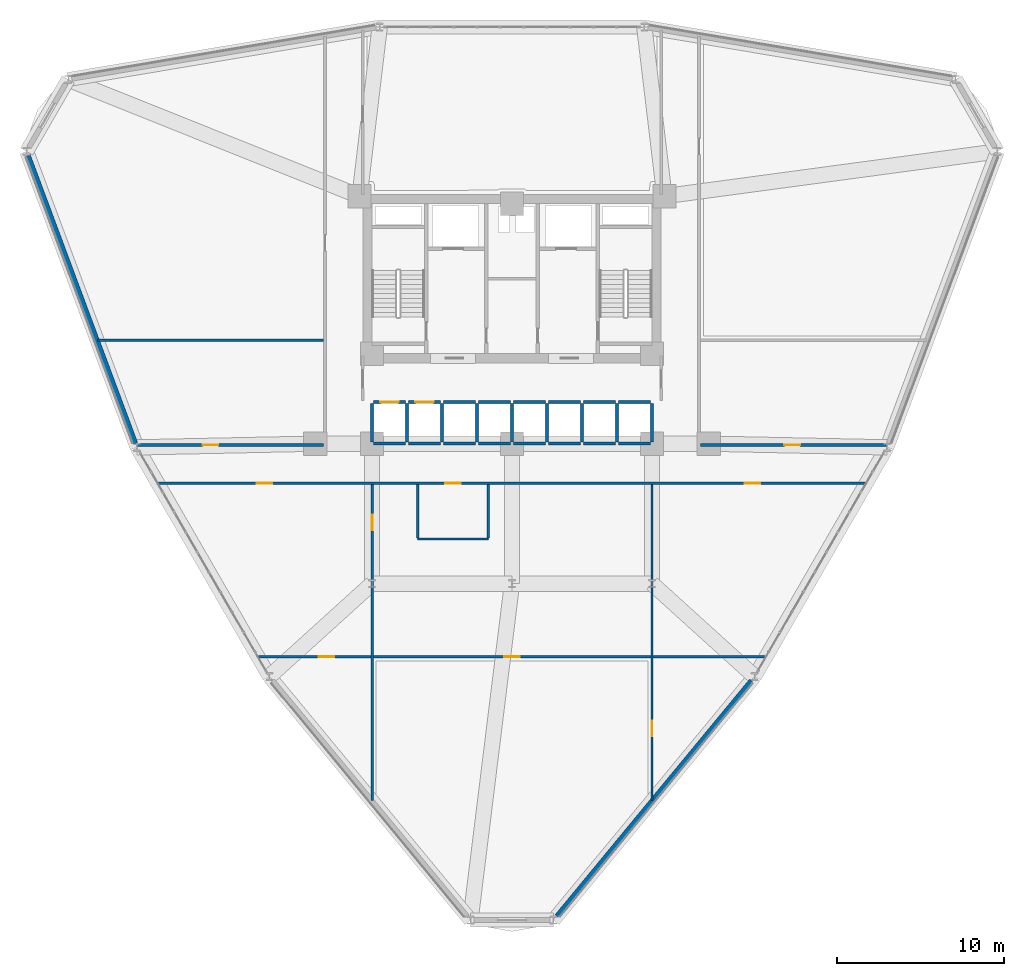
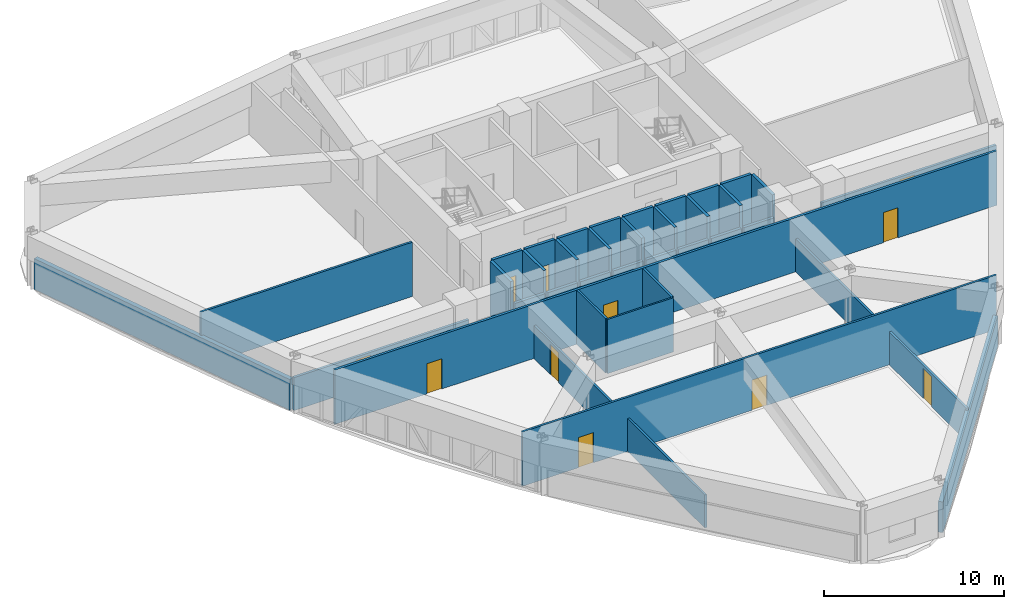
# One storey, part 15 of 20: 37 walls, 11 doors, 11 openings.
"""IFC4 building model written with IfcOpenShell, lengths in metres."""

from ifc_helpers import new_model, si_unit, derived_unit, direction, frame, frame_2d, origin, place, context, subcontext, project, spatial, rectangle, extrude, material, layer, layer_set, type_object, element, fill, save


model = new_model("IFC4")

# Units and contexts
model_context = context("Model", 3, precision=1e-05, world=origin(), true_north=direction((0.0, 1.0)))
body_context = subcontext(model_context, "Body", "Model", "MODEL_VIEW")
ifc_project = project(units=[si_unit("LENGTHUNIT", "METRE"), si_unit("AREAUNIT", "SQUARE_METRE"), si_unit("VOLUMEUNIT", "CUBIC_METRE"), si_unit("PLANEANGLEUNIT", "RADIAN"), si_unit("MASSUNIT", "GRAM", prefix="KILO"), derived_unit("THERMALTRANSMITTANCEUNIT", [(si_unit("POWERUNIT", "WATT"), 1), (si_unit("LENGTHUNIT", "METRE"), -2), (si_unit("THERMODYNAMICTEMPERATUREUNIT", "KELVIN"), -1)])], contexts=[model_context])

# Site, building, storey
site_placement = place(None, origin())
site = spatial("IfcSite", under=ifc_project, at=site_placement, CompositionType="ELEMENT")
building_placement = place(site_placement, origin())
building = spatial("IfcBuilding", under=site, at=building_placement, Name="Korsvarv Bourse and Concert Hall", CompositionType="ELEMENT")
storey_placement = place(building_placement, frame((0.0, 0.0, 35.699951171875)))
storey = spatial("IfcBuildingStorey", under=building, at=storey_placement, Name="L08", CompositionType="ELEMENT", Elevation=35.699951171875)

# Walls
ifc_material_1 = material(Name="Precast concrete C45/55 with fluted terracotta pier", Category="concrete")
ifc_layer_1 = layer(ifc_material_1, 0.280029296875)
ifc_layer_set_1 = layer_set([ifc_layer_1], Name="Precast concrete C45/55 with fluted terracotta pier")
wall_type_1 = type_object("IfcWallType", Name="WL-EXT-TC2", PredefinedType="SOLIDWALL", material=ifc_layer_set_1)
wall_1_placement = place(storey_placement, frame((6.96044921875, 49.69775390625, 0.0), z_axis=(0.0, 0.0, 1.0), x_axis=(0.349439969545, -0.936958754527, 0.0)))
element("IfcWall", 1, at=wall_1_placement, inside=storey, type_object=wall_type_1, Name="L08 terracotta exterior wall EW-L08-B06", PredefinedType="SOLIDWALL", context=body_context, shape_type="SweptSolid", body=[
    extrude(rectangle(XDim=18.44189453125, YDim=0.280029296875, at=frame_2d((9.220947265625, 0.0))), origin(), (0.0, 0.0, 1.0), 2.080078125),
])
wall_2_placement = place(storey_placement, frame((38.692626953125, 4.044921875, 0.0), z_axis=(0.0, 0.0, 1.0), x_axis=(0.636707615974, 0.771105318203, 0.0)))
element("IfcWall", 2, at=wall_2_placement, inside=storey, type_object=wall_type_1, Name="L08 terracotta exterior wall EW-L08-B10", PredefinedType="SOLIDWALL", context=body_context, shape_type="SweptSolid", body=[
    extrude(rectangle(XDim=18.330810546875, YDim=0.280029296875, at=frame_2d((9.16552734375, 0.0))), origin(), (0.0, 0.0, 1.0), 2.080078125),
])

# Wall, openings, doors
ifc_material_2 = material(Name="Double-stud fire-rated acoustic partition", Category="gypsum")
ifc_layer_2 = layer(ifc_material_2, 0.159912109375)
ifc_layer_set_2 = layer_set([ifc_layer_2], Name="Double-stud fire-rated acoustic partition")
wall_type_2 = type_object("IfcWallType", Name="WL-INT-EI60", PredefinedType="PARTITIONING", material=ifc_layer_set_2)
wall_3_placement = place(storey_placement, frame((14.75732421875, 30.02490234375, 0.0), z_axis=(0.0, 0.0, 1.0), x_axis=(1.0, 0.0, 0.0)))
wall_3 = element("IfcWall", 3, at=wall_3_placement, inside=storey, type_object=wall_type_2, Name="L08 interior partition wall W-L08-TCOR-01", PredefinedType="PARTITIONING", context=body_context, shape_type="SweptSolid", body=[
    extrude(rectangle(XDim=42.4853515625, YDim=0.159912109375, at=frame_2d((21.24267578125, 0.0))), origin(), (0.0, 0.0, 1.0), 3.679931640625),
])
opening_1_placement = place(wall_3_placement, frame((17.227783203125, 0.0, 0.0)))
opening_1 = element("IfcOpeningElement", 4, at=opening_1_placement, cuts=wall_3, Name="Opening D-02", PredefinedType="OPENING", context=body_context, shape_type="SweptSolid", body=[
    extrude(rectangle(XDim=0.949951171875, YDim=2.050048828125, at=frame_2d((0.47509765625, 1.02490234375))), frame((0.0, 0.08984375, 0.0), z_axis=(0.0, -1.0, 0.0), x_axis=(1.0, 0.0, 0.0)), (0.0, 0.0, 1.0), 0.179931640625),
])
opening_2_placement = place(wall_3_placement, frame((5.908447265625, 0.0, 0.0)))
opening_2 = element("IfcOpeningElement", 5, at=opening_2_placement, cuts=wall_3, Name="Opening D-02", PredefinedType="OPENING", context=body_context, shape_type="SweptSolid", body=[
    extrude(rectangle(XDim=0.949951171875, YDim=2.050048828125, at=frame_2d((0.47509765625, 1.02490234375))), frame((0.0, 0.08984375, 0.0), z_axis=(0.0, -1.0, 0.0), x_axis=(1.0, 0.0, 0.0)), (0.0, 0.0, 1.0), 0.179931640625),
])
opening_3_placement = place(wall_3_placement, frame((35.19921875, 0.0, 0.0)))
opening_3 = element("IfcOpeningElement", 6, at=opening_3_placement, cuts=wall_3, Name="Opening D-02", PredefinedType="OPENING", context=body_context, shape_type="SweptSolid", body=[
    extrude(rectangle(XDim=0.949951171875, YDim=2.050048828125, at=frame_2d((0.47509765625, 1.02490234375))), frame((0.0, 0.08984375, 0.0), z_axis=(0.0, -1.0, 0.0), x_axis=(1.0, 0.0, 0.0)), (0.0, 0.0, 1.0), 0.179931640625),
])
ifc_material_3 = material(Name="Timber and steel acoustic fire door", Category="wood")
door_type_1 = type_object("IfcDoorType", Name="DR-FD30", OperationType="NOTDEFINED", PredefinedType="DOOR", material=ifc_material_3)
door_1_placement = place(opening_1_placement, origin())
door_1 = element("IfcDoor", 7, at=door_1_placement, inside=storey, type_object=door_type_1, Name="L08 interior door DR-L08-TCOR-RWC", OperationType="SINGLE_SWING_RIGHT", OverallHeight=2.050048828125, OverallWidth=0.949951171875, PredefinedType="DOOR", context=body_context, shape_type="SweptSolid", body=[
    extrude(rectangle(XDim=0.949951171875, YDim=2.050048828125, at=frame_2d((0.47509765625, 1.02490234375))), frame((0.0, 0.02490234375, 0.0), z_axis=(0.0, -1.0, 0.0), x_axis=(1.0, 0.0, 0.0)), (0.0, 0.0, 1.0), 0.050048828125),
])
fill(opening_1, door_1)
door_2_placement = place(opening_2_placement, origin())
door_2 = element("IfcDoor", 8, at=door_2_placement, inside=storey, type_object=door_type_1, Name="L08 interior door DR-L08-TCOR-FI34", OperationType="SINGLE_SWING_LEFT", OverallHeight=2.050048828125, OverallWidth=0.949951171875, PredefinedType="DOOR", context=body_context, shape_type="SweptSolid", body=[
    extrude(rectangle(XDim=0.949951171875, YDim=2.050048828125, at=frame_2d((0.47509765625, 1.02490234375))), frame((0.0, 0.02490234375, 0.0), z_axis=(0.0, -1.0, 0.0), x_axis=(1.0, 0.0, 0.0)), (0.0, 0.0, 1.0), 0.050048828125),
])
fill(opening_2, door_2)
door_3_placement = place(opening_3_placement, origin())
door_3 = element("IfcDoor", 9, at=door_3_placement, inside=storey, type_object=door_type_1, Name="L08 interior door DR-L08-TCOR-FI48", OperationType="SINGLE_SWING_RIGHT", OverallHeight=2.050048828125, OverallWidth=0.949951171875, PredefinedType="DOOR", context=body_context, shape_type="SweptSolid", body=[
    extrude(rectangle(XDim=0.949951171875, YDim=2.050048828125, at=frame_2d((0.47509765625, 1.02490234375))), frame((0.0, 0.02490234375, 0.0), z_axis=(0.0, -1.0, 0.0), x_axis=(1.0, 0.0, 0.0)), (0.0, 0.0, 1.0), 0.050048828125),
])
fill(opening_3, door_3)

# Wall, opening, door
wall_4_placement = place(storey_placement, frame((47.306884765625, 32.31494140625, 0.0), z_axis=(0.0, 0.0, 1.0), x_axis=(1.0, 0.0, 0.0)))
wall_4 = element("IfcWall", 10, at=wall_4_placement, inside=storey, type_object=wall_type_2, Name="L08 interior partition wall W-L08-TCOR-04", PredefinedType="PARTITIONING", context=body_context, shape_type="SweptSolid", body=[
    extrude(rectangle(XDim=11.229736328125, YDim=0.159912109375, at=frame_2d((5.61474609375, 0.0))), origin(), (0.0, 0.0, 1.0), 2.239990234375),
])
opening_4_placement = place(wall_4_placement, frame((5.03271484375, 0.0, 0.0)))
opening_4 = element("IfcOpeningElement", 11, at=opening_4_placement, cuts=wall_4, Name="Opening D-02", PredefinedType="OPENING", context=body_context, shape_type="SweptSolid", body=[
    extrude(rectangle(XDim=0.949951171875, YDim=2.050048828125, at=frame_2d((0.47509765625, 1.02490234375))), frame((0.0, 0.08984375, 0.0), z_axis=(0.0, -1.0, 0.0), x_axis=(1.0, 0.0, 0.0)), (0.0, 0.0, 1.0), 0.179931640625),
])
door_4_placement = place(opening_4_placement, origin())
door_4 = element("IfcDoor", 12, at=door_4_placement, inside=storey, type_object=door_type_1, Name="L08 interior door DR-L08-TCOR-FI71", OperationType="SINGLE_SWING_LEFT", OverallHeight=2.050048828125, OverallWidth=0.949951171875, PredefinedType="DOOR", context=body_context, shape_type="SweptSolid", body=[
    extrude(rectangle(XDim=0.949951171875, YDim=2.050048828125, at=frame_2d((0.47509765625, 1.02490234375))), frame((0.0, 0.02490234375, 0.0), z_axis=(0.0, -1.0, 0.0), x_axis=(1.0, 0.0, 0.0)), (0.0, 0.0, 1.0), 0.050048828125),
])
fill(opening_4, door_4)

wall_5_placement = place(storey_placement, frame((13.46337890625, 32.31494140625, 0.0), z_axis=(0.0, 0.0, 1.0), x_axis=(1.0, 0.0, 0.0)))
wall_5 = element("IfcWall", 13, at=wall_5_placement, inside=storey, type_object=wall_type_2, Name="L08 interior partition wall W-L08-TCOR-05", PredefinedType="PARTITIONING", context=body_context, shape_type="SweptSolid", body=[
    extrude(rectangle(XDim=11.229736328125, YDim=0.159912109375, at=frame_2d((5.61474609375, 0.0))), origin(), (0.0, 0.0, 1.0), 2.239990234375),
])
opening_5_placement = place(wall_5_placement, frame((3.961669921875, 0.0, 0.0)))
opening_5 = element("IfcOpeningElement", 14, at=opening_5_placement, cuts=wall_5, Name="Opening D-02", PredefinedType="OPENING", context=body_context, shape_type="SweptSolid", body=[
    extrude(rectangle(XDim=0.949951171875, YDim=2.050048828125, at=frame_2d((0.47509765625, 1.02490234375))), frame((0.0, 0.08984375, 0.0), z_axis=(0.0, -1.0, 0.0), x_axis=(1.0, 0.0, 0.0)), (0.0, 0.0, 1.0), 0.179931640625),
])
door_5_placement = place(opening_5_placement, origin())
door_5 = element("IfcDoor", 15, at=door_5_placement, inside=storey, type_object=door_type_1, Name="L08 interior door DR-L08-TCOR-FI510", OperationType="SINGLE_SWING_RIGHT", OverallHeight=2.050048828125, OverallWidth=0.949951171875, PredefinedType="DOOR", context=body_context, shape_type="SweptSolid", body=[
    extrude(rectangle(XDim=0.949951171875, YDim=2.050048828125, at=frame_2d((0.47509765625, 1.02490234375))), frame((0.0, 0.02490234375, 0.0), z_axis=(0.0, -1.0, 0.0), x_axis=(1.0, 0.0, 0.0)), (0.0, 0.0, 1.0), 0.050048828125),
])
fill(opening_5, door_5)

ifc_material_4 = material(Name="Gypsum-clad autoclaved concrete shaft wall C30/37", Category="concrete")
ifc_layer_3 = layer(ifc_material_4, 0.179931640625)
ifc_layer_set_3 = layer_set([ifc_layer_3], Name="Gypsum-clad autoclaved concrete shaft wall C30/37")
wall_type_3 = type_object("IfcWallType", Name="WL-INT-EI90", PredefinedType="PARTITIONING", material=ifc_layer_set_3)
wall_6_placement = place(storey_placement, frame((27.68994140625, 34.89990234375, 0.0), z_axis=(0.0, 0.0, 1.0), x_axis=(1.0, 0.0, 0.0)))
wall_6 = element("IfcWall", 16, at=wall_6_placement, inside=storey, type_object=wall_type_3, Name="L08 interior partition wall W-L08-SHFN-PL1", PredefinedType="PARTITIONING", context=body_context, shape_type="SweptSolid", body=[
    extrude(rectangle(XDim=1.920166015625, YDim=0.179931640625, at=frame_2d((0.9599609375, 0.0))), origin(), (0.0, 0.0, 1.0), 3.679931640625),
])
opening_6_placement = place(wall_6_placement, frame((0.409912109375, 0.0, 0.0)))
opening_6 = element("IfcOpeningElement", 17, at=opening_6_placement, cuts=wall_6, Name="Opening LD-2", PredefinedType="OPENING", context=body_context, shape_type="SweptSolid", body=[
    extrude(rectangle(XDim=1.10009765625, YDim=2.10009765625, at=frame_2d((0.550048828125, 1.050048828125))), frame((0.0, 0.10009765625, 0.0), z_axis=(0.0, -1.0, 0.0), x_axis=(1.0, 0.0, 0.0)), (0.0, 0.0, 1.0), 0.199951171875),
])
ifc_material_5 = material(Name="Brushed stainless Steel S355 lift landing door", Category="steel")
door_type_2 = type_object("IfcDoorType", Name="DR-LIFT-P", OperationType="DOUBLE_DOOR_SLIDING", PredefinedType="DOOR", material=ifc_material_5)
door_6_placement = place(opening_6_placement, origin())
door_6 = element("IfcDoor", 18, at=door_6_placement, inside=storey, type_object=door_type_2, Name="L08 lift sliding landing door LD-L08-PL1", OperationType="DOUBLE_DOOR_SLIDING", OverallHeight=2.10009765625, OverallWidth=1.10009765625, PredefinedType="DOOR", context=body_context, shape_type="SweptSolid", body=[
    extrude(rectangle(XDim=1.10009765625, YDim=2.10009765625, at=frame_2d((0.550048828125, 1.050048828125))), frame((0.0, 0.02490234375, 0.0), z_axis=(0.0, -1.0, 0.0), x_axis=(1.0, 0.0, 0.0)), (0.0, 0.0, 1.0), 0.050048828125),
])
fill(opening_6, door_6)

# Walls
wall_7_placement = place(storey_placement, frame((27.68994140625, 32.39990234375, 0.0), z_axis=(0.0, 0.0, 1.0), x_axis=(1.0, 0.0, 0.0)))
element("IfcWall", 19, at=wall_7_placement, inside=storey, type_object=wall_type_3, Name="L08 interior partition wall W-L08-SHFS-PL1", PredefinedType="PARTITIONING", context=body_context, shape_type="SweptSolid", body=[
    extrude(rectangle(XDim=1.920166015625, YDim=0.179931640625, at=frame_2d((0.9599609375, 0.0))), origin(), (0.0, 0.0, 1.0), 2.239990234375),
])
wall_8_placement = place(storey_placement, frame((27.60009765625, 32.489990234375, 0.0), z_axis=(0.0, 0.0, 1.0), x_axis=(0.0, 1.0, 0.0)))
element("IfcWall", 20, at=wall_8_placement, inside=storey, type_object=wall_type_3, Name="L08 interior partition wall W-L08-SHFW-PL1", PredefinedType="PARTITIONING", context=body_context, shape_type="SweptSolid", body=[
    extrude(rectangle(XDim=2.320068359375, YDim=0.179931640625, at=frame_2d((1.16015625, 0.0))), origin(), (0.0, 0.0, 1.0), 3.679931640625),
])

# Wall, opening, door
wall_9_placement = place(storey_placement, frame((29.7900390625, 34.89990234375, 0.0), z_axis=(0.0, 0.0, 1.0), x_axis=(1.0, 0.0, 0.0)))
wall_9 = element("IfcWall", 21, at=wall_9_placement, inside=storey, type_object=wall_type_3, Name="L08 interior partition wall W-L08-SHFN-PL2", PredefinedType="PARTITIONING", context=body_context, shape_type="SweptSolid", body=[
    extrude(rectangle(XDim=1.919921875, YDim=0.179931640625, at=frame_2d((0.9599609375, 0.0))), origin(), (0.0, 0.0, 1.0), 3.679931640625),
])
opening_7_placement = place(wall_9_placement, frame((0.409912109375, 0.0, 0.0)))
opening_7 = element("IfcOpeningElement", 22, at=opening_7_placement, cuts=wall_9, Name="Opening LD-2", PredefinedType="OPENING", context=body_context, shape_type="SweptSolid", body=[
    extrude(rectangle(XDim=1.10009765625, YDim=2.10009765625, at=frame_2d((0.550048828125, 1.050048828125))), frame((0.0, 0.10009765625, 0.0), z_axis=(0.0, -1.0, 0.0), x_axis=(1.0, 0.0, 0.0)), (0.0, 0.0, 1.0), 0.199951171875),
])
door_7_placement = place(opening_7_placement, origin())
door_7 = element("IfcDoor", 23, at=door_7_placement, inside=storey, type_object=door_type_2, Name="L08 lift sliding landing door LD-L08-PL2", OperationType="DOUBLE_DOOR_SLIDING", OverallHeight=2.10009765625, OverallWidth=1.10009765625, PredefinedType="DOOR", context=body_context, shape_type="SweptSolid", body=[
    extrude(rectangle(XDim=1.10009765625, YDim=2.10009765625, at=frame_2d((0.550048828125, 1.050048828125))), frame((0.0, 0.02490234375, 0.0), z_axis=(0.0, -1.0, 0.0), x_axis=(1.0, 0.0, 0.0)), (0.0, 0.0, 1.0), 0.050048828125),
])
fill(opening_7, door_7)

# Walls
wall_10_placement = place(storey_placement, frame((29.7900390625, 32.39990234375, 0.0), z_axis=(0.0, 0.0, 1.0), x_axis=(1.0, 0.0, 0.0)))
element("IfcWall", 24, at=wall_10_placement, inside=storey, type_object=wall_type_3, Name="L08 interior partition wall W-L08-SHFS-PL2", PredefinedType="PARTITIONING", context=body_context, shape_type="SweptSolid", body=[
    extrude(rectangle(XDim=1.919921875, YDim=0.179931640625, at=frame_2d((0.9599609375, 0.0))), origin(), (0.0, 0.0, 1.0), 2.239990234375),
])
wall_11_placement = place(storey_placement, frame((29.699951171875, 32.489990234375, 0.0), z_axis=(0.0, 0.0, 1.0), x_axis=(0.0, 1.0, 0.0)))
element("IfcWall", 25, at=wall_11_placement, inside=storey, type_object=wall_type_3, Name="L08 interior partition wall W-L08-SHFW-PL2", PredefinedType="PARTITIONING", context=body_context, shape_type="SweptSolid", body=[
    extrude(rectangle(XDim=2.320068359375, YDim=0.179931640625, at=frame_2d((1.16015625, 0.0))), origin(), (0.0, 0.0, 1.0), 3.679931640625),
])
wall_12_placement = place(storey_placement, frame((31.889892578125, 34.89990234375, 0.0), z_axis=(0.0, 0.0, 1.0), x_axis=(1.0, 0.0, 0.0)))
element("IfcWall", 26, at=wall_12_placement, inside=storey, type_object=wall_type_3, Name="L08 interior partition wall W-L08-SHFN-PM1", PredefinedType="PARTITIONING", context=body_context, shape_type="SweptSolid", body=[
    extrude(rectangle(XDim=1.920166015625, YDim=0.179931640625, at=frame_2d((0.9599609375, 0.0))), origin(), (0.0, 0.0, 1.0), 3.679931640625),
])
wall_13_placement = place(storey_placement, frame((31.889892578125, 32.39990234375, 0.0), z_axis=(0.0, 0.0, 1.0), x_axis=(1.0, 0.0, 0.0)))
element("IfcWall", 27, at=wall_13_placement, inside=storey, type_object=wall_type_3, Name="L08 interior partition wall W-L08-SHFS-PM1", PredefinedType="PARTITIONING", context=body_context, shape_type="SweptSolid", body=[
    extrude(rectangle(XDim=1.920166015625, YDim=0.179931640625, at=frame_2d((0.9599609375, 0.0))), origin(), (0.0, 0.0, 1.0), 2.239990234375),
])
wall_14_placement = place(storey_placement, frame((31.800048828125, 32.489990234375, 0.0), z_axis=(0.0, 0.0, 1.0), x_axis=(0.0, 1.0, 0.0)))
element("IfcWall", 28, at=wall_14_placement, inside=storey, type_object=wall_type_3, Name="L08 interior partition wall W-L08-SHFW-PM1", PredefinedType="PARTITIONING", context=body_context, shape_type="SweptSolid", body=[
    extrude(rectangle(XDim=2.320068359375, YDim=0.179931640625, at=frame_2d((1.16015625, 0.0))), origin(), (0.0, 0.0, 1.0), 3.679931640625),
])
wall_15_placement = place(storey_placement, frame((33.989990234375, 34.89990234375, 0.0), z_axis=(0.0, 0.0, 1.0), x_axis=(1.0, 0.0, 0.0)))
element("IfcWall", 29, at=wall_15_placement, inside=storey, type_object=wall_type_3, Name="L08 interior partition wall W-L08-SHFN-PM2", PredefinedType="PARTITIONING", context=body_context, shape_type="SweptSolid", body=[
    extrude(rectangle(XDim=1.919921875, YDim=0.179931640625, at=frame_2d((0.9599609375, 0.0))), origin(), (0.0, 0.0, 1.0), 3.679931640625),
])
wall_16_placement = place(storey_placement, frame((33.989990234375, 32.39990234375, 0.0), z_axis=(0.0, 0.0, 1.0), x_axis=(1.0, 0.0, 0.0)))
element("IfcWall", 30, at=wall_16_placement, inside=storey, type_object=wall_type_3, Name="L08 interior partition wall W-L08-SHFS-PM2", PredefinedType="PARTITIONING", context=body_context, shape_type="SweptSolid", body=[
    extrude(rectangle(XDim=1.919921875, YDim=0.179931640625, at=frame_2d((0.9599609375, 0.0))), origin(), (0.0, 0.0, 1.0), 2.239990234375),
])
wall_17_placement = place(storey_placement, frame((33.89990234375, 32.489990234375, 0.0), z_axis=(0.0, 0.0, 1.0), x_axis=(0.0, 1.0, 0.0)))
element("IfcWall", 31, at=wall_17_placement, inside=storey, type_object=wall_type_3, Name="L08 interior partition wall W-L08-SHFW-PM2", PredefinedType="PARTITIONING", context=body_context, shape_type="SweptSolid", body=[
    extrude(rectangle(XDim=2.320068359375, YDim=0.179931640625, at=frame_2d((1.16015625, 0.0))), origin(), (0.0, 0.0, 1.0), 3.679931640625),
])
wall_18_placement = place(storey_placement, frame((36.090087890625, 34.89990234375, 0.0), z_axis=(0.0, 0.0, 1.0), x_axis=(1.0, 0.0, 0.0)))
element("IfcWall", 32, at=wall_18_placement, inside=storey, type_object=wall_type_3, Name="L08 interior partition wall W-L08-SHFN-PH1", PredefinedType="PARTITIONING", context=body_context, shape_type="SweptSolid", body=[
    extrude(rectangle(XDim=1.919921875, YDim=0.179931640625, at=frame_2d((0.9599609375, 0.0))), origin(), (0.0, 0.0, 1.0), 3.679931640625),
])
wall_19_placement = place(storey_placement, frame((36.090087890625, 32.39990234375, 0.0), z_axis=(0.0, 0.0, 1.0), x_axis=(1.0, 0.0, 0.0)))
element("IfcWall", 33, at=wall_19_placement, inside=storey, type_object=wall_type_3, Name="L08 interior partition wall W-L08-SHFS-PH1", PredefinedType="PARTITIONING", context=body_context, shape_type="SweptSolid", body=[
    extrude(rectangle(XDim=1.919921875, YDim=0.179931640625, at=frame_2d((0.9599609375, 0.0))), origin(), (0.0, 0.0, 1.0), 2.239990234375),
])
wall_20_placement = place(storey_placement, frame((36.0, 32.489990234375, 0.0), z_axis=(0.0, 0.0, 1.0), x_axis=(0.0, 1.0, 0.0)))
element("IfcWall", 34, at=wall_20_placement, inside=storey, type_object=wall_type_3, Name="L08 interior partition wall W-L08-SHFW-PH1", PredefinedType="PARTITIONING", context=body_context, shape_type="SweptSolid", body=[
    extrude(rectangle(XDim=2.320068359375, YDim=0.179931640625, at=frame_2d((1.16015625, 0.0))), origin(), (0.0, 0.0, 1.0), 3.679931640625),
])
wall_21_placement = place(storey_placement, frame((38.18994140625, 34.89990234375, 0.0), z_axis=(0.0, 0.0, 1.0), x_axis=(1.0, 0.0, 0.0)))
element("IfcWall", 35, at=wall_21_placement, inside=storey, type_object=wall_type_3, Name="L08 interior partition wall W-L08-SHFN-PH2", PredefinedType="PARTITIONING", context=body_context, shape_type="SweptSolid", body=[
    extrude(rectangle(XDim=1.920166015625, YDim=0.179931640625, at=frame_2d((0.9599609375, 0.0))), origin(), (0.0, 0.0, 1.0), 3.679931640625),
])
wall_22_placement = place(storey_placement, frame((38.18994140625, 32.39990234375, 0.0), z_axis=(0.0, 0.0, 1.0), x_axis=(1.0, 0.0, 0.0)))
element("IfcWall", 36, at=wall_22_placement, inside=storey, type_object=wall_type_3, Name="L08 interior partition wall W-L08-SHFS-PH2", PredefinedType="PARTITIONING", context=body_context, shape_type="SweptSolid", body=[
    extrude(rectangle(XDim=1.920166015625, YDim=0.179931640625, at=frame_2d((0.9599609375, 0.0))), origin(), (0.0, 0.0, 1.0), 2.239990234375),
])
wall_23_placement = place(storey_placement, frame((38.10009765625, 32.489990234375, 0.0), z_axis=(0.0, 0.0, 1.0), x_axis=(0.0, 1.0, 0.0)))
element("IfcWall", 37, at=wall_23_placement, inside=storey, type_object=wall_type_3, Name="L08 interior partition wall W-L08-SHFW-PH2", PredefinedType="PARTITIONING", context=body_context, shape_type="SweptSolid", body=[
    extrude(rectangle(XDim=2.320068359375, YDim=0.179931640625, at=frame_2d((1.16015625, 0.0))), origin(), (0.0, 0.0, 1.0), 3.679931640625),
])
wall_24_placement = place(storey_placement, frame((40.2900390625, 34.89990234375, 0.0), z_axis=(0.0, 0.0, 1.0), x_axis=(1.0, 0.0, 0.0)))
element("IfcWall", 38, at=wall_24_placement, inside=storey, type_object=wall_type_3, Name="L08 interior partition wall W-L08-SHFN-PO1", PredefinedType="PARTITIONING", context=body_context, shape_type="SweptSolid", body=[
    extrude(rectangle(XDim=1.919921875, YDim=0.179931640625, at=frame_2d((0.9599609375, 0.0))), origin(), (0.0, 0.0, 1.0), 3.679931640625),
])
wall_25_placement = place(storey_placement, frame((40.2900390625, 32.39990234375, 0.0), z_axis=(0.0, 0.0, 1.0), x_axis=(1.0, 0.0, 0.0)))
element("IfcWall", 39, at=wall_25_placement, inside=storey, type_object=wall_type_3, Name="L08 interior partition wall W-L08-SHFS-PO1", PredefinedType="PARTITIONING", context=body_context, shape_type="SweptSolid", body=[
    extrude(rectangle(XDim=1.919921875, YDim=0.179931640625, at=frame_2d((0.9599609375, 0.0))), origin(), (0.0, 0.0, 1.0), 2.239990234375),
])
wall_26_placement = place(storey_placement, frame((40.199951171875, 32.489990234375, 0.0), z_axis=(0.0, 0.0, 1.0), x_axis=(0.0, 1.0, 0.0)))
element("IfcWall", 40, at=wall_26_placement, inside=storey, type_object=wall_type_3, Name="L08 interior partition wall W-L08-SHFW-PO1", PredefinedType="PARTITIONING", context=body_context, shape_type="SweptSolid", body=[
    extrude(rectangle(XDim=2.320068359375, YDim=0.179931640625, at=frame_2d((1.16015625, 0.0))), origin(), (0.0, 0.0, 1.0), 3.679931640625),
])
wall_27_placement = place(storey_placement, frame((42.389892578125, 34.89990234375, 0.0), z_axis=(0.0, 0.0, 1.0), x_axis=(1.0, 0.0, 0.0)))
element("IfcWall", 41, at=wall_27_placement, inside=storey, type_object=wall_type_3, Name="L08 interior partition wall W-L08-SHFN-PO2", PredefinedType="PARTITIONING", context=body_context, shape_type="SweptSolid", body=[
    extrude(rectangle(XDim=1.920166015625, YDim=0.179931640625, at=frame_2d((0.9599609375, 0.0))), origin(), (0.0, 0.0, 1.0), 3.679931640625),
])
wall_28_placement = place(storey_placement, frame((42.389892578125, 32.39990234375, 0.0), z_axis=(0.0, 0.0, 1.0), x_axis=(1.0, 0.0, 0.0)))
element("IfcWall", 42, at=wall_28_placement, inside=storey, type_object=wall_type_3, Name="L08 interior partition wall W-L08-SHFS-PO2", PredefinedType="PARTITIONING", context=body_context, shape_type="SweptSolid", body=[
    extrude(rectangle(XDim=1.920166015625, YDim=0.179931640625, at=frame_2d((0.9599609375, 0.0))), origin(), (0.0, 0.0, 1.0), 2.239990234375),
])
for number, where, z_axis, x_axis, name in (
    (43, (42.300048828125, 32.489990234375, 0.0), (0.0, 0.0, 1.0), (0.0, 1.0, 0.0), "L08 interior partition wall W-L08-SHFW-PO2"),
    (44, (44.39990234375, 32.489990234375, 0.0), (0.0, 0.0, 1.0), (0.0, 1.0, 0.0), "L08 interior partition wall W-L08-SHFE-END"),
):
    element("IfcWall", number, at=place(storey_placement, frame(where, z_axis=z_axis, x_axis=x_axis)), inside=storey, type_object=wall_type_3, Name=name, PredefinedType="PARTITIONING", context=body_context, shape_type="SweptSolid", body=[
        extrude(rectangle(XDim=2.320068359375, YDim=0.179931640625, at=frame_2d((1.16015625, 0.0))), origin(), (0.0, 0.0, 1.0), 3.679931640625),
    ])
ifc_material_6 = material(Name="Demountable acoustic glass and aluminium dealing partition", Category="aluminium")
ifc_layer_4 = layer(ifc_material_6, 0.110107421875)
ifc_layer_set_4 = layer_set([ifc_layer_4], Name="Demountable acoustic glass and aluminium dealing partition")
wall_type_4 = type_object("IfcWallType", Name="WL-INT-MOV", PredefinedType="MOVABLE", material=ifc_layer_set_4)
wall_29_placement = place(storey_placement, frame((30.340087890625, 26.675048828125, 0.0), z_axis=(0.0, 0.0, 1.0), x_axis=(1.0, 0.0, 0.0)))
element("IfcWall", 45, at=wall_29_placement, inside=storey, type_object=wall_type_4, Name="L08 interior partition wall W-L08-TCOR-13", PredefinedType="MOVABLE", context=body_context, shape_type="SweptSolid", body=[
    extrude(rectangle(XDim=4.239990234375, YDim=0.110107421875, at=frame_2d((2.1201171875, 0.0))), origin(), (0.0, 0.0, 1.0), 3.679931640625),
])

# Wall, openings, doors
ifc_material_7 = material(Name="Insulated steel-stud office acoustic partition", Category="gypsum")
ifc_layer_5 = layer(ifc_material_7, 0.139892578125)
ifc_layer_set_5 = layer_set([ifc_layer_5], Name="Insulated steel-stud office acoustic partition")
wall_type_5 = type_object("IfcWallType", Name="WL-INT-P1", PredefinedType="PARTITIONING", material=ifc_layer_set_5)
wall_30_placement = place(storey_placement, frame((20.773193359375, 19.60498046875, 0.0), z_axis=(0.0, 0.0, 1.0), x_axis=(1.0, 0.0, 0.0)))
wall_30 = element("IfcWall", 46, at=wall_30_placement, inside=storey, type_object=wall_type_5, Name="L08 interior partition wall W-L08-TCOR-08", PredefinedType="PARTITIONING", context=body_context, shape_type="SweptSolid", body=[
    extrude(rectangle(XDim=30.45361328125, YDim=0.139892578125, at=frame_2d((15.226806640625, 0.0))), origin(), (0.0, 0.0, 1.0), 3.679931640625),
])
opening_8_placement = place(wall_30_placement, frame((3.62109375, 0.0, 0.0)))
opening_8 = element("IfcOpeningElement", 47, at=opening_8_placement, cuts=wall_30, Name="Opening D-03", PredefinedType="OPENING", context=body_context, shape_type="SweptSolid", body=[
    extrude(rectangle(XDim=0.949951171875, YDim=2.050048828125, at=frame_2d((0.47509765625, 1.02490234375))), frame((0.0, 0.080078125, 0.0), z_axis=(0.0, -1.0, 0.0), x_axis=(1.0, 0.0, 0.0)), (0.0, 0.0, 1.0), 0.159912109375),
])
opening_9_placement = place(wall_30_placement, frame((14.751708984375, 0.0, 0.0)))
opening_9 = element("IfcOpeningElement", 48, at=opening_9_placement, cuts=wall_30, Name="Opening D-03", PredefinedType="OPENING", context=body_context, shape_type="SweptSolid", body=[
    extrude(rectangle(XDim=0.949951171875, YDim=2.050048828125, at=frame_2d((0.47509765625, 1.02490234375))), frame((0.0, 0.080078125, 0.0), z_axis=(0.0, -1.0, 0.0), x_axis=(1.0, 0.0, 0.0)), (0.0, 0.0, 1.0), 0.159912109375),
])
ifc_material_8 = material(Name="Nordic oak acoustic office door", Category="wood")
door_type_3 = type_object("IfcDoorType", Name="DR-INT-1", OperationType="NOTDEFINED", PredefinedType="DOOR", material=ifc_material_8)
door_8_placement = place(opening_8_placement, origin())
door_8 = element("IfcDoor", 49, at=door_8_placement, inside=storey, type_object=door_type_3, Name="L08 interior door DR-L08-TCOR-RM33", OperationType="SINGLE_SWING_RIGHT", OverallHeight=2.050048828125, OverallWidth=0.949951171875, PredefinedType="DOOR", context=body_context, shape_type="SweptSolid", body=[
    extrude(rectangle(XDim=0.949951171875, YDim=2.050048828125, at=frame_2d((0.47509765625, 1.02490234375))), frame((0.0, 0.02490234375, 0.0), z_axis=(0.0, -1.0, 0.0), x_axis=(1.0, 0.0, 0.0)), (0.0, 0.0, 1.0), 0.050048828125),
])
fill(opening_8, door_8)
door_9_placement = place(opening_9_placement, origin())
door_9 = element("IfcDoor", 50, at=door_9_placement, inside=storey, type_object=door_type_3, Name="L08 interior door DR-L08-TCOR-FI25", OperationType="SINGLE_SWING_LEFT", OverallHeight=2.050048828125, OverallWidth=0.949951171875, PredefinedType="DOOR", context=body_context, shape_type="SweptSolid", body=[
    extrude(rectangle(XDim=0.949951171875, YDim=2.050048828125, at=frame_2d((0.47509765625, 1.02490234375))), frame((0.0, 0.02490234375, 0.0), z_axis=(0.0, -1.0, 0.0), x_axis=(1.0, 0.0, 0.0)), (0.0, 0.0, 1.0), 0.050048828125),
])
fill(opening_9, door_9)

# Wall, opening, door
wall_31_placement = place(storey_placement, frame((27.60498046875, 10.97119140625, 0.0), z_axis=(0.0, 0.0, 1.0), x_axis=(0.0, 1.0, 0.0)))
wall_31 = element("IfcWall", 51, at=wall_31_placement, inside=storey, type_object=wall_type_5, Name="L08 interior partition wall W-L08-TCOR-09", PredefinedType="PARTITIONING", context=body_context, shape_type="SweptSolid", body=[
    extrude(rectangle(XDim=18.971923828125, YDim=0.139892578125, at=frame_2d((9.48583984375, 0.0))), origin(), (0.0, 0.0, 1.0), 2.239990234375),
])
opening_10_placement = place(wall_31_placement, frame((16.224609375, 0.0, 0.0)))
opening_10 = element("IfcOpeningElement", 52, at=opening_10_placement, cuts=wall_31, Name="Opening D-03", PredefinedType="OPENING", context=body_context, shape_type="SweptSolid", body=[
    extrude(rectangle(XDim=0.949951171875, YDim=2.050048828125, at=frame_2d((0.47509765625, 1.02490234375))), frame((0.0, 0.080078125, 0.0), z_axis=(0.0, -1.0, 0.0), x_axis=(1.0, 0.0, 0.0)), (0.0, 0.0, 1.0), 0.159912109375),
])
door_10_placement = place(opening_10_placement, origin())
door_10 = element("IfcDoor", 53, at=door_10_placement, inside=storey, type_object=door_type_3, Name="L08 interior door DR-L08-TCOR-FI16", OperationType="SINGLE_SWING_RIGHT", OverallHeight=2.050048828125, OverallWidth=0.949951171875, PredefinedType="DOOR", context=body_context, shape_type="SweptSolid", body=[
    extrude(rectangle(XDim=0.949951171875, YDim=2.050048828125, at=frame_2d((0.47509765625, 1.02490234375))), frame((0.0, 0.02490234375, 0.0), z_axis=(0.0, -1.0, 0.0), x_axis=(1.0, 0.0, 0.0)), (0.0, 0.0, 1.0), 0.050048828125),
])
fill(opening_10, door_10)

wall_32_placement = place(storey_placement, frame((44.405029296875, 10.983154296875, 0.0), z_axis=(0.0, 0.0, 1.0), x_axis=(0.0, 1.0, 0.0)))
wall_32 = element("IfcWall", 54, at=wall_32_placement, inside=storey, type_object=wall_type_5, Name="L08 interior partition wall W-L08-TCOR-10", PredefinedType="PARTITIONING", context=body_context, shape_type="SweptSolid", body=[
    extrude(rectangle(XDim=18.9599609375, YDim=0.139892578125, at=frame_2d((9.47998046875, 0.0))), origin(), (0.0, 0.0, 1.0), 2.239990234375),
])
opening_11_placement = place(wall_32_placement, frame((3.847412109375, 0.0, 0.0)))
opening_11 = element("IfcOpeningElement", 55, at=opening_11_placement, cuts=wall_32, Name="Opening D-03", PredefinedType="OPENING", context=body_context, shape_type="SweptSolid", body=[
    extrude(rectangle(XDim=0.949951171875, YDim=2.050048828125, at=frame_2d((0.47509765625, 1.02490234375))), frame((0.0, 0.080078125, 0.0), z_axis=(0.0, -1.0, 0.0), x_axis=(1.0, 0.0, 0.0)), (0.0, 0.0, 1.0), 0.159912109375),
])
door_11_placement = place(opening_11_placement, origin())
door_11 = element("IfcDoor", 56, at=door_11_placement, inside=storey, type_object=door_type_3, Name="L08 interior door DR-L08-TCOR-RM77", OperationType="SINGLE_SWING_LEFT", OverallHeight=2.050048828125, OverallWidth=0.949951171875, PredefinedType="DOOR", context=body_context, shape_type="SweptSolid", body=[
    extrude(rectangle(XDim=0.949951171875, YDim=2.050048828125, at=frame_2d((0.47509765625, 1.02490234375))), frame((0.0, 0.02490234375, 0.0), z_axis=(0.0, -1.0, 0.0), x_axis=(1.0, 0.0, 0.0)), (0.0, 0.0, 1.0), 0.050048828125),
])
fill(opening_11, door_11)

# Walls
wall_33_placement = place(storey_placement, frame((11.11767578125, 38.60498046875, 0.0), z_axis=(0.0, 0.0, 1.0), x_axis=(1.0, 0.0, 0.0)))
element("IfcWall", 57, at=wall_33_placement, inside=storey, type_object=wall_type_5, Name="L08 interior partition wall W-L08-TCOR-12", PredefinedType="PARTITIONING", context=body_context, shape_type="SweptSolid", body=[
    extrude(rectangle(XDim=13.575439453125, YDim=0.139892578125, at=frame_2d((6.78759765625, 0.0))), origin(), (0.0, 0.0, 1.0), 3.679931640625),
])
for number, where, z_axis, x_axis, name in (
    (58, (34.574951171875, 26.7470703125, 0.0), (0.0, 0.0, 1.0), (0.0, 1.0, 0.0), "L08 interior partition wall W-L08-TCOR-14"),
    (59, (30.344970703125, 26.7470703125, 0.0), (0.0, 0.0, 1.0), (0.0, 1.0, 0.0), "L08 interior partition wall W-L08-TCOR-15"),
):
    element("IfcWall", number, at=place(storey_placement, frame(where, z_axis=z_axis, x_axis=x_axis)), inside=storey, type_object=wall_type_5, Name=name, PredefinedType="PARTITIONING", context=body_context, shape_type="SweptSolid", body=[
        extrude(rectangle(XDim=3.196044921875, YDim=0.139892578125, at=frame_2d((1.59814453125, 0.0))), origin(), (0.0, 0.0, 1.0), 3.679931640625),
    ])

save(model, "model.ifc")
